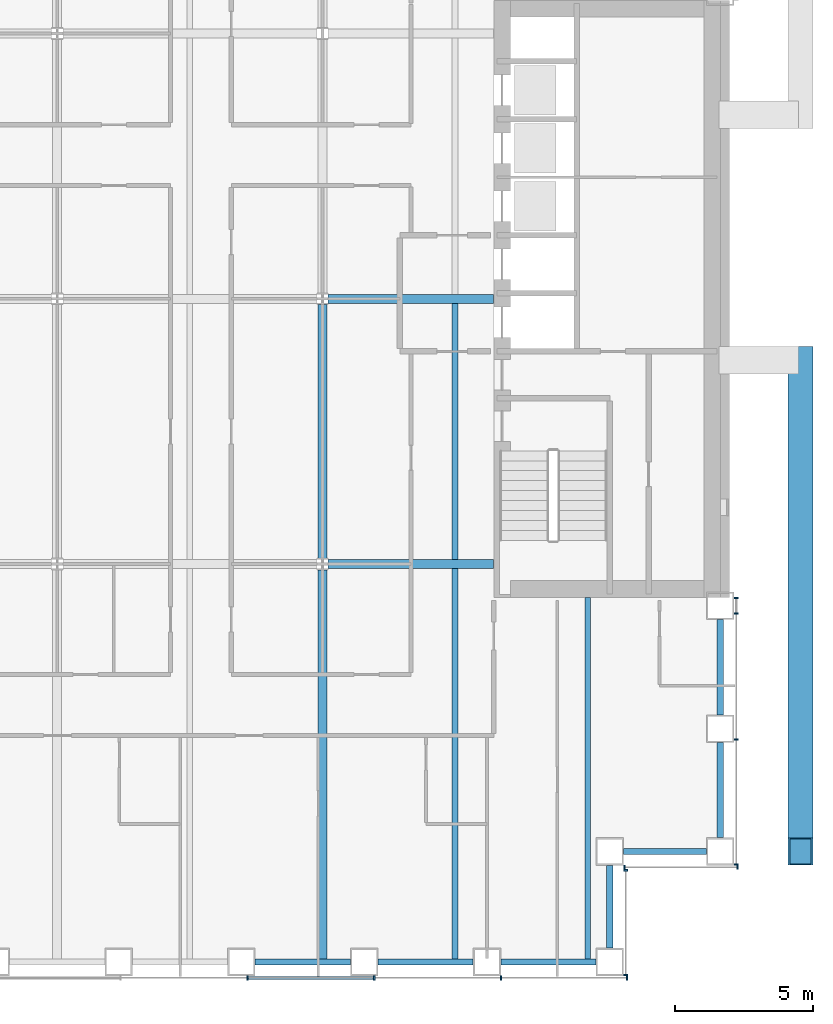
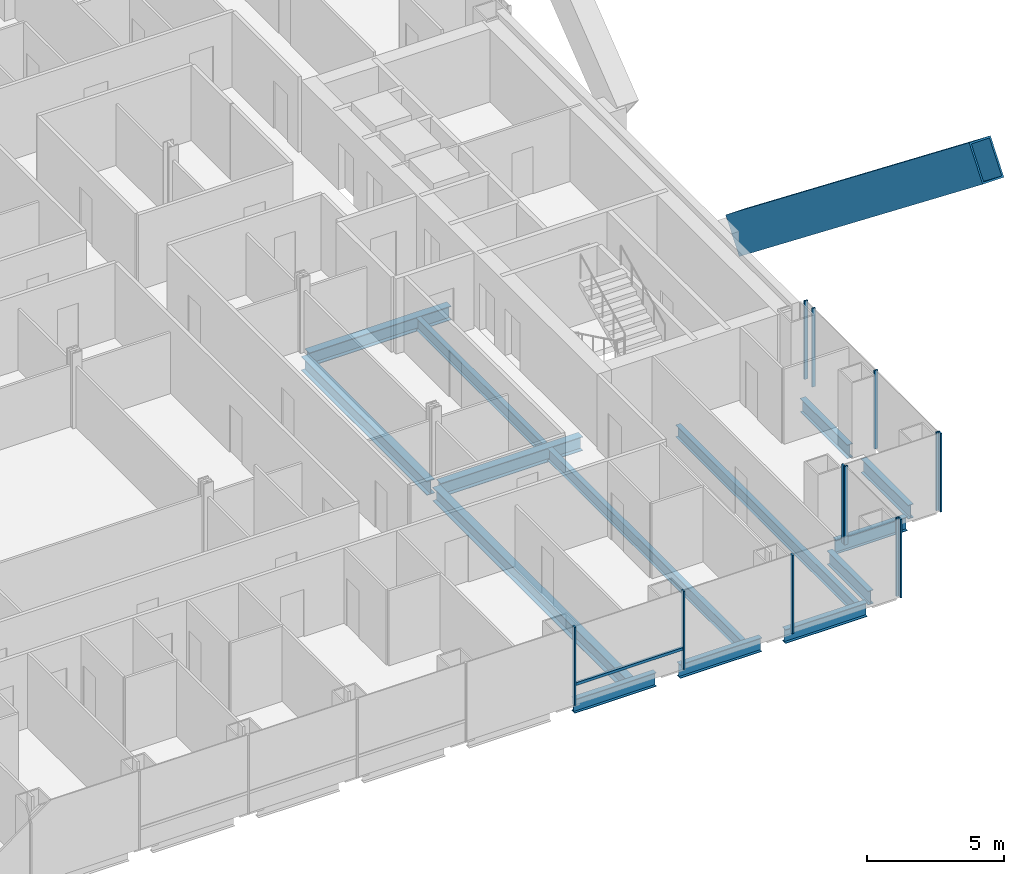
# One storey, part 5 of 23: 14 beams, 14 members, 4 elements without a shape of their own.
"""IFC4 building model written with IfcOpenShell, lengths in metres."""

from ifc_helpers import new_model, si_unit, direction, frame, origin, origin_2d, place, context, subcontext, project, spatial, rectangle, hollow_rectangle, i_section, extrude, material, material_profile, profile_set, type_object, element, aggregate, save


model = new_model("IFC4")

# Units and contexts
model_context = context("Model", 3, precision=1e-05, world=origin(), true_north=direction((0.0, 1.0)))
body_context = subcontext(model_context, "Body", "Model", "MODEL_VIEW")
ifc_project = project(units=[si_unit("LENGTHUNIT", "METRE"), si_unit("AREAUNIT", "SQUARE_METRE"), si_unit("VOLUMEUNIT", "CUBIC_METRE"), si_unit("PLANEANGLEUNIT", "RADIAN"), si_unit("MASSUNIT", "GRAM", prefix="KILO")], contexts=[model_context])

# Site, building, storey
site_placement = place(None, origin())
site = spatial("IfcSite", under=ifc_project, at=site_placement, CompositionType="ELEMENT")
building_placement = place(site_placement, origin())
building = spatial("IfcBuilding", under=site, at=building_placement, Name="Cobrizo Arcos Hotel Tower", CompositionType="ELEMENT")
storey_placement = place(building_placement, frame((0.0, 0.0, 56.5)))
storey = spatial("IfcBuildingStorey", under=building, at=storey_placement, Name="L12", CompositionType="ELEMENT", Elevation=56.5)

# Member
ifc_material_1 = material(Name="Steel ASTM A572 Grade 50", Category="steel")
ifc_material_profile_1 = material_profile(ifc_material_1, hollow_rectangle(XDim=0.89990234375, YDim=1.60009765625, WallThickness=0.070068359375, at=origin_2d()), Name="BOX 900X1600X70")
ifc_profile_set_1 = profile_set([ifc_material_profile_1], Name="Steel ASTM A572 Grade 50")
member_type_1 = type_object("IfcMemberType", Name="BOX 900X1600X70 perimeter brace", PredefinedType="BRACE", material=ifc_profile_set_1)
member_1_placement = place(storey_placement, frame((26.89990234375, -2.22216796875, 0.5), z_axis=(0.0, -0.785637232407, 0.618687432437), x_axis=(1.0, 0.0, 0.0)))
element("IfcMember", 1, at=member_1_placement, inside=storey, type_object=member_type_1, Name="Perimeter brace PBR1, zone Z1, east face, no. 02", PredefinedType="BRACE", context=body_context, shape_type="SweptSolid", body=[
    extrude(hollow_rectangle(XDim=0.89990234375, YDim=1.60009765625, WallThickness=0.070068359375, at=origin_2d()), origin(), (0.0, 0.0, 1.0), 22.628662109375),
])

# Curtain wall, members
ifc_material_2 = material(Name="Aluminium 6063-T6 anodised bronze", Category="aluminium")
curtain_wall_type = type_object("IfcCurtainWallType", Name="CW-A guest facade", PredefinedType="NOTDEFINED", material=ifc_material_2)
curtain_wall_1_placement = place(storey_placement, origin())
curtain_wall_1 = element("IfcCurtainWall", 2, at=curtain_wall_1_placement, inside=storey, type_object=curtain_wall_type, Name="CW-A L12 S face", PredefinedType="NOTDEFINED")
ifc_material_profile_2 = material_profile(ifc_material_2, rectangle(XDim=0.14990234375, YDim=0.06005859375, at=origin_2d()), Name="CW-A mullion 150x60")
ifc_profile_set_2 = profile_set([ifc_material_profile_2], Name="Aluminium 6063-T6 anodised bronze")
member_type_2 = type_object("IfcMemberType", Name="CW-A mullion 150x60", PredefinedType="MULLION", material=ifc_profile_set_2)
member_2_placement = place(storey_placement, frame((6.88330078125, -24.574951171875, 0.0), z_axis=(0.0, 0.0, 1.0), x_axis=(0.0, -1.0, 0.0)))
member_2 = element("IfcMember", 3, at=member_2_placement, type_object=member_type_2, Name="CW-A mullion 7", PredefinedType="MULLION", context=body_context, shape_type="SweptSolid", body=[
    extrude(rectangle(XDim=0.14990234375, YDim=0.06005859375, at=origin_2d()), origin(), (0.0, 0.0, 1.0), 3.5),
])
member_3_placement = place(storey_placement, frame((11.47216796875, -24.574951171875, 0.0), z_axis=(0.0, 0.0, 1.0), x_axis=(0.0, -1.0, 0.0)))
member_3 = element("IfcMember", 4, at=member_3_placement, type_object=member_type_2, Name="CW-A mullion 8", PredefinedType="MULLION", context=body_context, shape_type="SweptSolid", body=[
    extrude(rectangle(XDim=0.14990234375, YDim=0.06005859375, at=origin_2d()), origin(), (0.0, 0.0, 1.0), 3.5),
])
member_4_placement = place(storey_placement, frame((16.06103515625, -24.574951171875, 0.0), z_axis=(0.0, 0.0, 1.0), x_axis=(0.0, -1.0, 0.0)))
member_4 = element("IfcMember", 5, at=member_4_placement, type_object=member_type_2, Name="CW-A mullion 9", PredefinedType="MULLION", context=body_context, shape_type="SweptSolid", body=[
    extrude(rectangle(XDim=0.14990234375, YDim=0.06005859375, at=origin_2d()), origin(), (0.0, 0.0, 1.0), 3.5),
])
member_5_placement = place(storey_placement, frame((20.6201171875, -24.574951171875, 0.0), z_axis=(0.0, 0.0, 1.0), x_axis=(0.0, -1.0, 0.0)))
member_5 = element("IfcMember", 6, at=member_5_placement, type_object=member_type_2, Name="CW-A mullion 10", PredefinedType="MULLION", context=body_context, shape_type="SweptSolid", body=[
    extrude(rectangle(XDim=0.14990234375, YDim=0.06005859375, at=origin_2d()), origin(), (0.0, 0.0, 1.0), 3.5),
])

curtain_wall_2_placement = place(storey_placement, origin())
curtain_wall_2 = element("IfcCurtainWall", 7, at=curtain_wall_2_placement, inside=storey, type_object=curtain_wall_type, Name="CW-A L12 E face", PredefinedType="NOTDEFINED")
member_6_placement = place(storey_placement, frame((20.574951171875, -24.469970703125, 0.0), z_axis=(0.0, 0.0, 1.0), x_axis=(1.0, 0.0, 0.0)))
member_6 = element("IfcMember", 8, at=member_6_placement, type_object=member_type_2, Name="CW-A mullion 1", PredefinedType="MULLION", context=body_context, shape_type="SweptSolid", body=[
    extrude(rectangle(XDim=0.14990234375, YDim=0.06005859375, at=origin_2d()), origin(), (0.0, 0.0, 1.0), 3.5),
])
member_7_placement = place(storey_placement, frame((20.574951171875, -20.679931640625, 0.0), z_axis=(0.0, 0.0, 1.0), x_axis=(1.0, 0.0, 0.0)))
member_7 = element("IfcMember", 9, at=member_7_placement, type_object=member_type_2, Name="CW-A mullion 2", PredefinedType="MULLION", context=body_context, shape_type="SweptSolid", body=[
    extrude(rectangle(XDim=0.14990234375, YDim=0.06005859375, at=origin_2d()), origin(), (0.0, 0.0, 1.0), 3.5),
])
aggregate(curtain_wall_2, [member_6, member_7])

curtain_wall_3_placement = place(storey_placement, origin())
curtain_wall_3 = element("IfcCurtainWall", 10, at=curtain_wall_3_placement, inside=storey, type_object=curtain_wall_type, Name="CW-A L12 S face", PredefinedType="NOTDEFINED")
member_8_placement = place(storey_placement, frame((20.530029296875, -20.574951171875, 0.0), z_axis=(0.0, 0.0, 1.0), x_axis=(0.0, -1.0, 0.0)))
member_8 = element("IfcMember", 11, at=member_8_placement, type_object=member_type_2, Name="CW-A mullion 1", PredefinedType="MULLION", context=body_context, shape_type="SweptSolid", body=[
    extrude(rectangle(XDim=0.14990234375, YDim=0.06005859375, at=origin_2d()), origin(), (0.0, 0.0, 1.0), 3.5),
])
member_9_placement = place(storey_placement, frame((24.6201171875, -20.574951171875, 0.0), z_axis=(0.0, 0.0, 1.0), x_axis=(0.0, -1.0, 0.0)))
member_9 = element("IfcMember", 12, at=member_9_placement, type_object=member_type_2, Name="CW-A mullion 2", PredefinedType="MULLION", context=body_context, shape_type="SweptSolid", body=[
    extrude(rectangle(XDim=0.14990234375, YDim=0.06005859375, at=origin_2d()), origin(), (0.0, 0.0, 1.0), 3.5),
])
aggregate(curtain_wall_3, [member_8, member_9])

curtain_wall_4_placement = place(storey_placement, origin())
curtain_wall_4 = element("IfcCurtainWall", 13, at=curtain_wall_4_placement, inside=storey, type_object=curtain_wall_type, Name="CW-A L12 E face", PredefinedType="NOTDEFINED")
member_10_placement = place(storey_placement, frame((24.574951171875, -20.469970703125, 0.0), z_axis=(0.0, 0.0, 1.0), x_axis=(1.0, 0.0, 0.0)))
member_10 = element("IfcMember", 14, at=member_10_placement, type_object=member_type_2, Name="CW-A mullion 1", PredefinedType="MULLION", context=body_context, shape_type="SweptSolid", body=[
    extrude(rectangle(XDim=0.14990234375, YDim=0.06005859375, at=origin_2d()), origin(), (0.0, 0.0, 1.0), 3.5),
])
member_11_placement = place(storey_placement, frame((24.574951171875, -15.9443359375, 0.0), z_axis=(0.0, 0.0, 1.0), x_axis=(1.0, 0.0, 0.0)))
member_11 = element("IfcMember", 15, at=member_11_placement, type_object=member_type_2, Name="CW-A mullion 2", PredefinedType="MULLION", context=body_context, shape_type="SweptSolid", body=[
    extrude(rectangle(XDim=0.14990234375, YDim=0.06005859375, at=origin_2d()), origin(), (0.0, 0.0, 1.0), 3.5),
])
member_12_placement = place(storey_placement, frame((24.574951171875, -11.388916015625, 0.0), z_axis=(0.0, 0.0, 1.0), x_axis=(1.0, 0.0, 0.0)))
member_12 = element("IfcMember", 16, at=member_12_placement, type_object=member_type_2, Name="CW-A mullion 3", PredefinedType="MULLION", context=body_context, shape_type="SweptSolid", body=[
    extrude(rectangle(XDim=0.14990234375, YDim=0.06005859375, at=origin_2d()), origin(), (0.0, 0.0, 1.0), 3.5),
])
member_13_placement = place(storey_placement, frame((24.574951171875, -10.830078125, 0.0), z_axis=(0.0, 0.0, 1.0), x_axis=(1.0, 0.0, 0.0)))
member_13 = element("IfcMember", 17, at=member_13_placement, type_object=member_type_2, Name="CW-A mullion 4", PredefinedType="MULLION", context=body_context, shape_type="SweptSolid", body=[
    extrude(rectangle(XDim=0.14990234375, YDim=0.06005859375, at=origin_2d()), origin(), (0.0, 0.0, 1.0), 3.5),
])
aggregate(curtain_wall_4, [member_10, member_11, member_12, member_13])

# Member
ifc_material_profile_3 = material_profile(ifc_material_2, rectangle(XDim=0.10009765625, YDim=0.1201171875, at=origin_2d()), Name="CW-A transom 120x100")
ifc_profile_set_3 = profile_set([ifc_material_profile_3], Name="Aluminium 6063-T6 anodised bronze")
member_type_3 = type_object("IfcMemberType", Name="CW-A transom 120x100", PredefinedType="USERDEFINED", material=ifc_profile_set_3)
member_14_placement = place(storey_placement, frame((6.913330078125, -24.574951171875, 0.929931640625), z_axis=(1.0, 0.0, 0.0), x_axis=(0.0, 1.0, 0.0)))
member_14 = element("IfcMember", 18, at=member_14_placement, type_object=member_type_3, Name="CW-A transom 557", ObjectType="TRANSOM", PredefinedType="USERDEFINED", context=body_context, shape_type="SweptSolid", body=[
    extrude(rectangle(XDim=0.10009765625, YDim=0.1201171875, at=origin_2d()), origin(), (0.0, 0.0, 1.0), 4.52880859375),
])

aggregate(curtain_wall_1, [member_2, member_3, member_4, member_5, member_14])

# Beams
ifc_material_3 = material(Name="Steel ASTM A992 Grade 50", Category="steel")
ifc_material_profile_4 = material_profile(ifc_material_3, i_section(OverallWidth=0.209228515625, OverallDepth=0.533447265625, WebThickness=0.01025390625, FlangeThickness=0.015625, at=origin_2d()), Name="W21X62")
ifc_profile_set_4 = profile_set([ifc_material_profile_4], Name="Steel ASTM A992 Grade 50")
beam_type_1 = type_object("IfcBeamType", Name="W21X62 joist", PredefinedType="JOIST", material=ifc_profile_set_4)
beam_1_placement = place(storey_placement, frame((14.39990234375, -23.909912109375, -0.416748046875), z_axis=(0.0, 1.0, 0.0), x_axis=(-1.0, 0.0, 0.0)))
element("IfcBeam", 19, at=beam_1_placement, inside=storey, type_object=beam_type_1, Name="Floor joist J1, L12, no. 015", PredefinedType="JOIST", context=body_context, shape_type="SweptSolid", body=[
    extrude(i_section(OverallWidth=0.209228515625, OverallDepth=0.533447265625, WebThickness=0.01025390625, FlangeThickness=0.015625, at=origin_2d()), origin(), (0.0, 0.0, 1.0), 14.14599609375),
])
beam_2_placement = place(storey_placement, frame((14.39990234375, -9.43603515625, -0.416748046875), z_axis=(0.0, 1.0, 0.0), x_axis=(-1.0, 0.0, 0.0)))
element("IfcBeam", 20, at=beam_2_placement, inside=storey, type_object=beam_type_1, Name="Floor joist J1, L12, no. 016", PredefinedType="JOIST", context=body_context, shape_type="SweptSolid", body=[
    extrude(i_section(OverallWidth=0.209228515625, OverallDepth=0.533447265625, WebThickness=0.01025390625, FlangeThickness=0.015625, at=origin_2d()), origin(), (0.0, 0.0, 1.0), 9.272216796875),
])
beam_3_placement = place(storey_placement, frame((19.199951171875, -23.909912109375, -0.416748046875), z_axis=(0.0, 1.0, 0.0), x_axis=(-1.0, 0.0, 0.0)))
element("IfcBeam", 21, at=beam_3_placement, inside=storey, type_object=beam_type_1, Name="Floor joist J1, L12, no. 019", PredefinedType="JOIST", context=body_context, shape_type="SweptSolid", body=[
    extrude(i_section(OverallWidth=0.209228515625, OverallDepth=0.533447265625, WebThickness=0.01025390625, FlangeThickness=0.015625, at=origin_2d()), origin(), (0.0, 0.0, 1.0), 13.099853515625),
])
ifc_material_profile_5 = material_profile(ifc_material_3, i_section(OverallWidth=0.32763671875, OverallDepth=0.622314453125, WebThickness=0.015380859375, FlangeThickness=0.0244140625, at=origin_2d()), Name="W24X131")
ifc_profile_set_5 = profile_set([ifc_material_profile_5], Name="Steel ASTM A992 Grade 50")
beam_type_2 = type_object("IfcBeamType", Name="W24X131 girder", PredefinedType="BEAM", material=ifc_profile_set_5)
for number, where, z_axis, x_axis, name in (
    (22, (9.804443359375, -9.60009765625, -0.461181640625), (1.0, 0.0, 0.0), (0.0, 1.0, 0.0), "Floor girder G1, L12, no. 004"),
    (23, (9.804443359375, 0.0, -0.461181640625), (1.0, 0.0, 0.0), (0.0, 1.0, 0.0), "Floor girder G1, L12, no. 008"),
):
    element("IfcBeam", number, at=place(storey_placement, frame(where, z_axis=z_axis, x_axis=x_axis)), inside=storey, type_object=beam_type_2, Name=name, PredefinedType="BEAM", context=body_context, shape_type="SweptSolid", body=[
        extrude(i_section(OverallWidth=0.32763671875, OverallDepth=0.622314453125, WebThickness=0.015380859375, FlangeThickness=0.0244140625, at=origin_2d()), origin(), (0.0, 0.0, 1.0), 5.985595703125),
    ])
beam_4_placement = place(storey_placement, frame((9.60009765625, -23.909912109375, -0.461181640625), z_axis=(0.0, 1.0, 0.0), x_axis=(-1.0, 0.0, 0.0)))
element("IfcBeam", 24, at=beam_4_placement, inside=storey, type_object=beam_type_2, Name="Floor girder G1, L12, no. 021", PredefinedType="BEAM", context=body_context, shape_type="SweptSolid", body=[
    extrude(i_section(OverallWidth=0.32763671875, OverallDepth=0.622314453125, WebThickness=0.015380859375, FlangeThickness=0.0244140625, at=origin_2d()), origin(), (0.0, 0.0, 1.0), 14.10546875),
])
beam_5_placement = place(storey_placement, frame((9.60009765625, -9.3955078125, -0.461181640625), z_axis=(0.0, 1.0, 0.0), x_axis=(-1.0, 0.0, 0.0)))
element("IfcBeam", 25, at=beam_5_placement, inside=storey, type_object=beam_type_2, Name="Floor girder G1, L12, no. 022", PredefinedType="BEAM", context=body_context, shape_type="SweptSolid", body=[
    extrude(i_section(OverallWidth=0.32763671875, OverallDepth=0.622314453125, WebThickness=0.015380859375, FlangeThickness=0.0244140625, at=origin_2d()), origin(), (0.0, 0.0, 1.0), 9.191162109375),
])
ifc_material_profile_6 = material_profile(ifc_material_3, i_section(OverallWidth=0.23046875, OverallDepth=0.6171875, WebThickness=0.01318359375, FlangeThickness=0.022216796875, at=origin_2d()), Name="W24X94")
ifc_profile_set_6 = profile_set([ifc_material_profile_6], Name="Steel ASTM A992 Grade 50")
beam_type_3 = type_object("IfcBeamType", Name="W24X94 spandrel", PredefinedType="SPANDREL", material=ifc_profile_set_6)
beam_6_placement = place(storey_placement, frame((7.1669921875, -24.0, -0.45849609375), z_axis=(1.0, 0.0, 0.0), x_axis=(0.0, 1.0, 0.0)))
element("IfcBeam", 26, at=beam_6_placement, inside=storey, type_object=beam_type_3, Name="Spandrel beam W24X94, L12, no. 007", PredefinedType="SPANDREL", context=body_context, shape_type="SweptSolid", body=[
    extrude(i_section(OverallWidth=0.23046875, OverallDepth=0.6171875, WebThickness=0.01318359375, FlangeThickness=0.022216796875, at=origin_2d()), origin(), (0.0, 0.0, 1.0), 3.444091796875),
])
beam_7_placement = place(storey_placement, frame((11.611083984375, -24.0, -0.45849609375), z_axis=(1.0, 0.0, 0.0), x_axis=(0.0, 1.0, 0.0)))
element("IfcBeam", 27, at=beam_7_placement, inside=storey, type_object=beam_type_3, Name="Spandrel beam W24X94, L12, no. 008", PredefinedType="SPANDREL", context=body_context, shape_type="SweptSolid", body=[
    extrude(i_section(OverallWidth=0.23046875, OverallDepth=0.6171875, WebThickness=0.01318359375, FlangeThickness=0.022216796875, at=origin_2d()), origin(), (0.0, 0.0, 1.0), 3.44482421875),
])
beam_8_placement = place(storey_placement, frame((16.055908203125, -24.0, -0.45849609375), z_axis=(1.0, 0.0, 0.0), x_axis=(0.0, 1.0, 0.0)))
element("IfcBeam", 28, at=beam_8_placement, inside=storey, type_object=beam_type_3, Name="Spandrel beam W24X94, L12, no. 009", PredefinedType="SPANDREL", context=body_context, shape_type="SweptSolid", body=[
    extrude(i_section(OverallWidth=0.23046875, OverallDepth=0.6171875, WebThickness=0.01318359375, FlangeThickness=0.022216796875, at=origin_2d()), origin(), (0.0, 0.0, 1.0), 3.444091796875),
])
for number, where, z_axis, x_axis, name in (
    (29, (20.0, -23.5, -0.45849609375), (0.0, 1.0, 0.0), (-1.0, 0.0, 0.0), "Spandrel beam W24X94, L12, no. 010"),
    (30, (20.5, -20.0, -0.45849609375), (1.0, 0.0, 0.0), (0.0, 1.0, 0.0), "Spandrel beam W24X94, L12, no. 011"),
):
    element("IfcBeam", number, at=place(storey_placement, frame(where, z_axis=z_axis, x_axis=x_axis)), inside=storey, type_object=beam_type_3, Name=name, PredefinedType="SPANDREL", context=body_context, shape_type="SweptSolid", body=[
        extrude(i_section(OverallWidth=0.23046875, OverallDepth=0.6171875, WebThickness=0.01318359375, FlangeThickness=0.022216796875, at=origin_2d()), origin(), (0.0, 0.0, 1.0), 3.0),
    ])
beam_9_placement = place(storey_placement, frame((24.0, -19.5, -0.45849609375), z_axis=(0.0, 1.0, 0.0), x_axis=(-1.0, 0.0, 0.0)))
element("IfcBeam", 31, at=beam_9_placement, inside=storey, type_object=beam_type_3, Name="Spandrel beam W24X94, L12, no. 012", PredefinedType="SPANDREL", context=body_context, shape_type="SweptSolid", body=[
    extrude(i_section(OverallWidth=0.23046875, OverallDepth=0.6171875, WebThickness=0.01318359375, FlangeThickness=0.022216796875, at=origin_2d()), origin(), (0.0, 0.0, 1.0), 3.444091796875),
])
beam_10_placement = place(storey_placement, frame((24.0, -15.055908203125, -0.45849609375), z_axis=(0.0, 1.0, 0.0), x_axis=(-1.0, 0.0, 0.0)))
element("IfcBeam", 32, at=beam_10_placement, inside=storey, type_object=beam_type_3, Name="Spandrel beam W24X94, L12, no. 013", PredefinedType="SPANDREL", context=body_context, shape_type="SweptSolid", body=[
    extrude(i_section(OverallWidth=0.23046875, OverallDepth=0.6171875, WebThickness=0.01318359375, FlangeThickness=0.022216796875, at=origin_2d()), origin(), (0.0, 0.0, 1.0), 3.44482421875),
])

save(model, "model.ifc")
